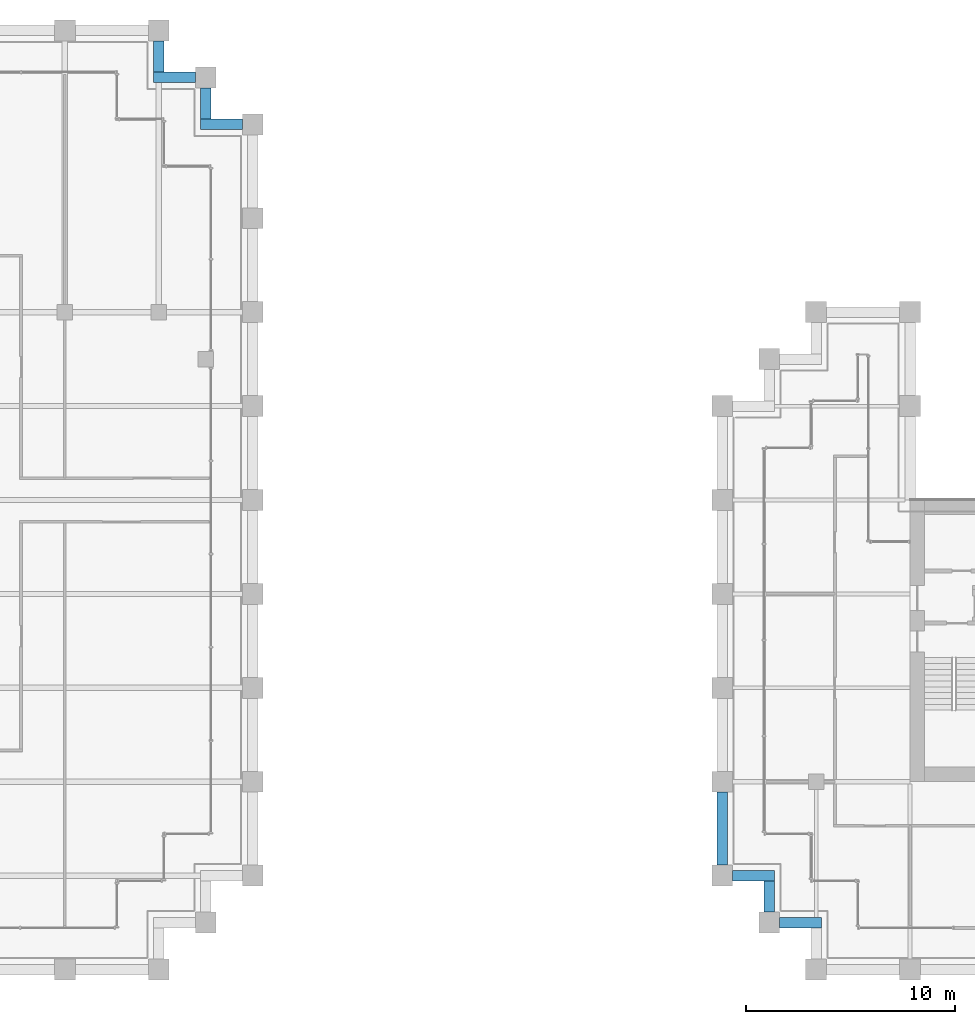
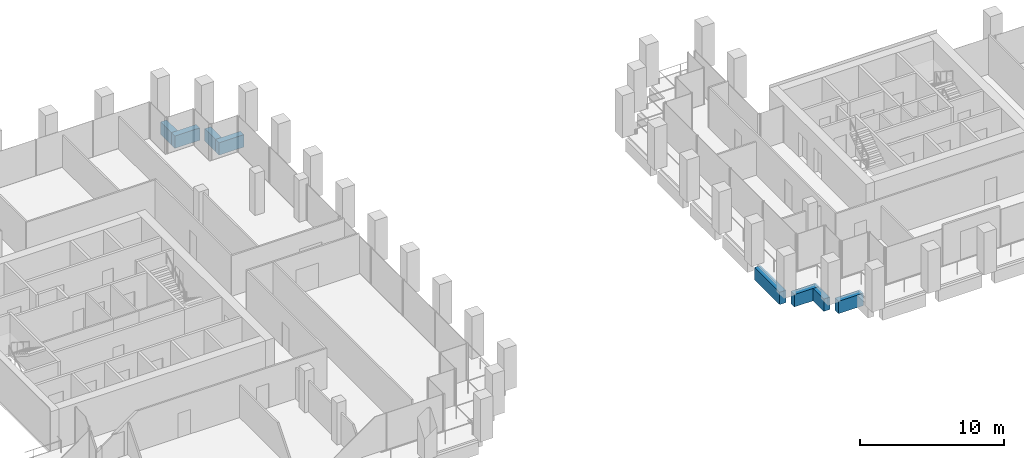
# One storey, part 27 of 46: 8 beams.
"""IFC4 building model written with IfcOpenShell, lengths in metres."""

from ifc_helpers import new_model, si_unit, direction, frame, origin, origin_2d, place, context, subcontext, project, spatial, rectangle, extrude, material, material_profile, profile_set, type_object, element, save


model = new_model("IFC4")

# Units and contexts
model_context = context("Model", 3, precision=1e-05, world=origin(), true_north=direction((0.0, 1.0)))
body_context = subcontext(model_context, "Body", "Model", "MODEL_VIEW")
ifc_project = project(units=[si_unit("LENGTHUNIT", "METRE"), si_unit("AREAUNIT", "SQUARE_METRE"), si_unit("VOLUMEUNIT", "CUBIC_METRE"), si_unit("PLANEANGLEUNIT", "RADIAN"), si_unit("MASSUNIT", "GRAM", prefix="KILO")], contexts=[model_context])

# Site, building, storey
site_placement = place(None, origin())
site = spatial("IfcSite", under=ifc_project, at=site_placement, CompositionType="ELEMENT")
building_placement = place(site_placement, origin())
building = spatial("IfcBuilding", under=site, at=building_placement, Name="Altepetl Exchange Towers", CompositionType="ELEMENT")
storey_placement = place(building_placement, frame((0.0, 0.0, 106.39990234375)))
storey = spatial("IfcBuildingStorey", under=building, at=storey_placement, Name="L26", CompositionType="ELEMENT", Elevation=106.39990234375)

# Beams
ifc_material_1 = material(Name="Concrete C50/60 precast with cantera rosa facing", Category="concrete")
ifc_material_profile_1 = material_profile(ifc_material_1, rectangle(XDim=0.5, YDim=1.050048828125, at=origin_2d()), Name="500 x 1050")
ifc_profile_set_1 = profile_set([ifc_material_profile_1], Name="Concrete C50/60 precast with cantera rosa facing")
beam_type_1 = type_object("IfcBeamType", Name="Spandrel beam 500x1050 cantera rosa", PredefinedType="SPANDREL", material=ifc_profile_set_1)
beam_1_placement = place(storey_placement, frame((71.5, 67.5, -0.6748046875), z_axis=(-1.0, 0.0, 0.0), x_axis=(0.0, -1.0, 0.0)))
element("IfcBeam", 1, at=beam_1_placement, inside=storey, type_object=beam_type_1, Name="sp:A:L26:020", PredefinedType="SPANDREL", context=body_context, shape_type="SweptSolid", body=[
    extrude(rectangle(XDim=0.5, YDim=1.050048828125, at=origin_2d()), origin(), (0.0, 0.0, 1.0), 2.0),
])
beam_2_placement = place(storey_placement, frame((69.75, 67.75, -0.6748046875), z_axis=(0.0, 1.0, 0.0), x_axis=(-1.0, 0.0, 0.0)))
element("IfcBeam", 2, at=beam_2_placement, inside=storey, type_object=beam_type_1, Name="sp:A:L26:021", PredefinedType="SPANDREL", context=body_context, shape_type="SweptSolid", body=[
    extrude(rectangle(XDim=0.5, YDim=1.050048828125, at=origin_2d()), origin(), (0.0, 0.0, 1.0), 1.5),
])
beam_3_placement = place(storey_placement, frame((69.25, 69.75, -0.6748046875), z_axis=(-1.0, 0.0, 0.0), x_axis=(0.0, -1.0, 0.0)))
element("IfcBeam", 3, at=beam_3_placement, inside=storey, type_object=beam_type_1, Name="sp:A:L26:022", PredefinedType="SPANDREL", context=body_context, shape_type="SweptSolid", body=[
    extrude(rectangle(XDim=0.5, YDim=1.050048828125, at=origin_2d()), origin(), (0.0, 0.0, 1.0), 2.0),
])
beam_4_placement = place(storey_placement, frame((67.5, 70.0, -0.6748046875), z_axis=(0.0, 1.0, 0.0), x_axis=(-1.0, 0.0, 0.0)))
element("IfcBeam", 4, at=beam_4_placement, inside=storey, type_object=beam_type_1, Name="sp:A:L26:023", PredefinedType="SPANDREL", context=body_context, shape_type="SweptSolid", body=[
    extrude(rectangle(XDim=0.5, YDim=1.050048828125, at=origin_2d()), origin(), (0.0, 0.0, 1.0), 1.5),
])
ifc_material_2 = material(Name="Concrete C50/60 precast with tezontle facing", Category="concrete")
ifc_material_profile_2 = material_profile(ifc_material_2, rectangle(XDim=0.5, YDim=1.050048828125, at=origin_2d()), Name="500 x 1050")
ifc_profile_set_2 = profile_set([ifc_material_profile_2], Name="Concrete C50/60 precast with tezontle facing")
beam_type_2 = type_object("IfcBeamType", Name="Spandrel beam 500x1050 tezontle", PredefinedType="SPANDREL", material=ifc_profile_set_2)
beam_5_placement = place(storey_placement, frame((94.5, 35.5, -0.6748046875), z_axis=(0.0, -1.0, 0.0), x_axis=(1.0, 0.0, 0.0)))
element("IfcBeam", 5, at=beam_5_placement, inside=storey, type_object=beam_type_2, Name="sp:B:L26:026", PredefinedType="SPANDREL", context=body_context, shape_type="SweptSolid", body=[
    extrude(rectangle(XDim=0.5, YDim=1.050048828125, at=origin_2d()), origin(), (0.0, 0.0, 1.0), 3.5),
])
beam_6_placement = place(storey_placement, frame((95.0, 31.5, -0.6748046875), z_axis=(1.0, 0.0, 0.0), x_axis=(0.0, 1.0, 0.0)))
element("IfcBeam", 6, at=beam_6_placement, inside=storey, type_object=beam_type_2, Name="sp:B:L26:027", PredefinedType="SPANDREL", context=body_context, shape_type="SweptSolid", body=[
    extrude(rectangle(XDim=0.5, YDim=1.050048828125, at=origin_2d()), origin(), (0.0, 0.0, 1.0), 2.0),
])
beam_7_placement = place(storey_placement, frame((96.75, 31.25, -0.6748046875), z_axis=(0.0, -1.0, 0.0), x_axis=(1.0, 0.0, 0.0)))
element("IfcBeam", 7, at=beam_7_placement, inside=storey, type_object=beam_type_2, Name="sp:B:L26:028", PredefinedType="SPANDREL", context=body_context, shape_type="SweptSolid", body=[
    extrude(rectangle(XDim=0.5, YDim=1.050048828125, at=origin_2d()), origin(), (0.0, 0.0, 1.0), 1.5),
])
beam_8_placement = place(storey_placement, frame((97.25, 29.25, -0.6748046875), z_axis=(1.0, 0.0, 0.0), x_axis=(0.0, 1.0, 0.0)))
element("IfcBeam", 8, at=beam_8_placement, inside=storey, type_object=beam_type_2, Name="sp:B:L26:029", PredefinedType="SPANDREL", context=body_context, shape_type="SweptSolid", body=[
    extrude(rectangle(XDim=0.5, YDim=1.050048828125, at=origin_2d()), origin(), (0.0, 0.0, 1.0), 2.0),
])

save(model, "model.ifc")
